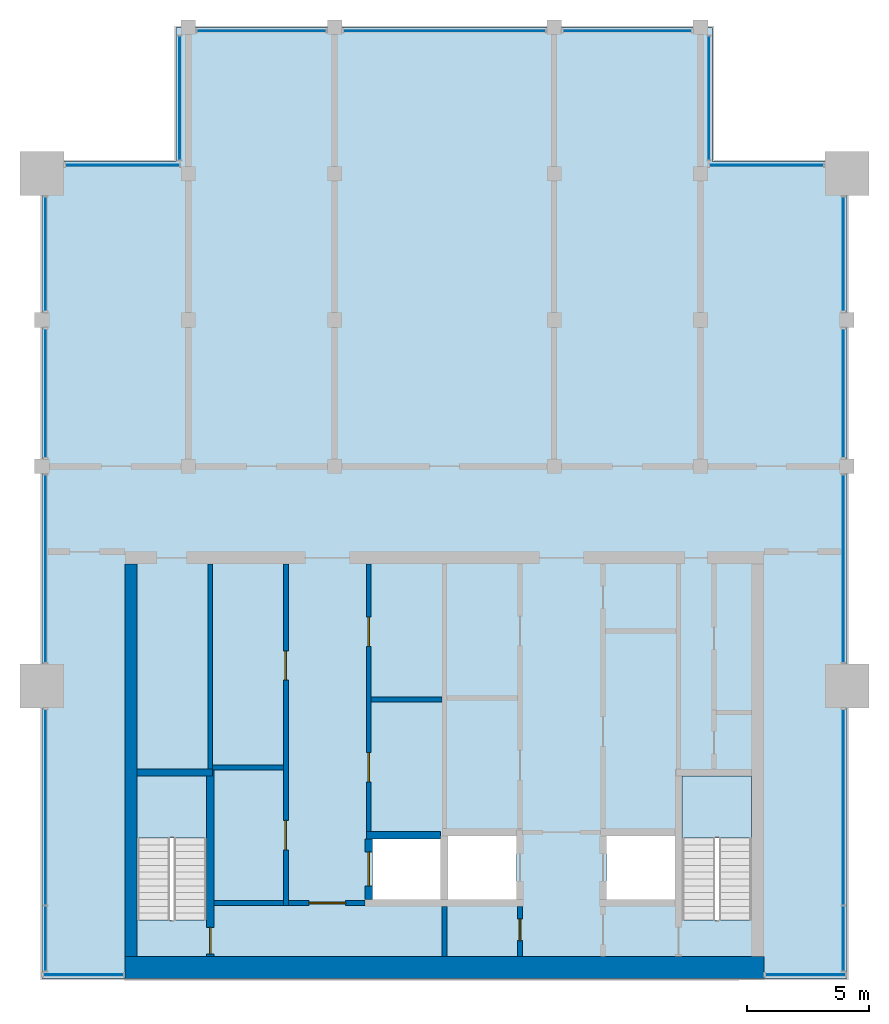
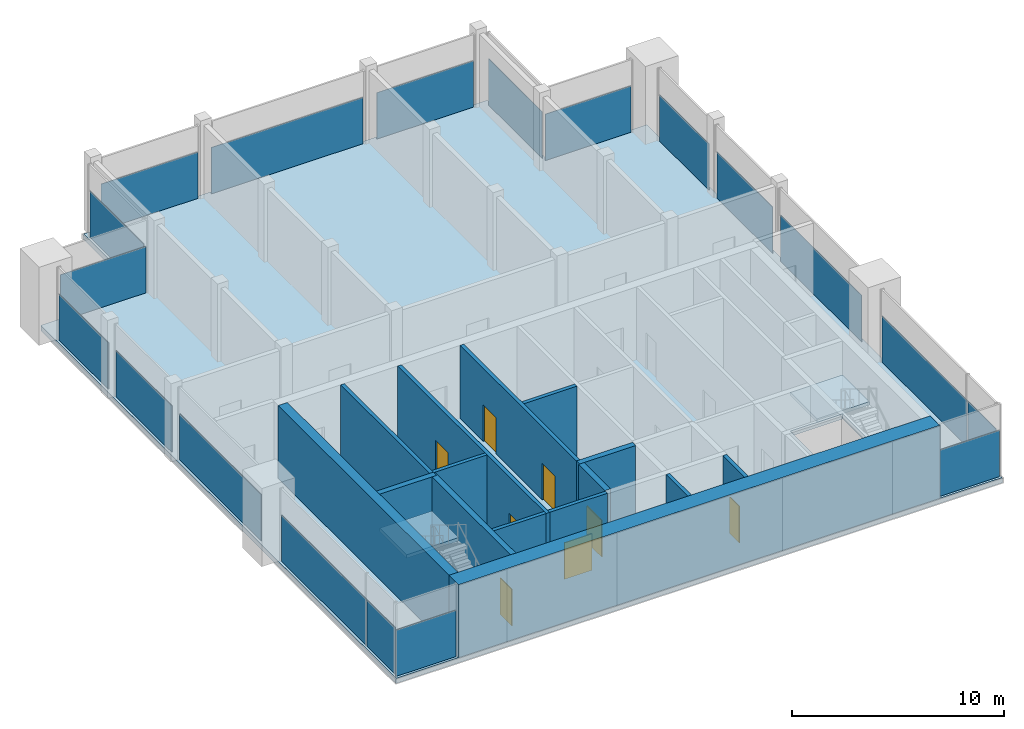
# One storey, part 6 of 9: 19 plates, 15 walls, 8 doors, 3 slabs, 8 openings, 19 elements without a shape of their own.
"""IFC4 building model written with IfcOpenShell, lengths in metres."""

from ifc_helpers import new_model, si_unit, direction, frame, frame_2d, origin, origin_2d, place, context, subcontext, project, spatial, polyline, rectangle, outline, extrude, material, layer, layer_set, type_object, element, fill, aggregate, save


model = new_model("IFC4")

# Units and contexts
model_context = context("Model", 3, precision=1e-05, world=origin(), true_north=direction((0.0, 1.0)))
body_context = subcontext(model_context, "Body", "Model", "MODEL_VIEW")
ifc_project = project(units=[si_unit("LENGTHUNIT", "METRE"), si_unit("AREAUNIT", "SQUARE_METRE"), si_unit("VOLUMEUNIT", "CUBIC_METRE"), si_unit("PLANEANGLEUNIT", "RADIAN"), si_unit("MASSUNIT", "GRAM", prefix="KILO")], contexts=[model_context])

# Site, building, storey
site_placement = place(None, origin())
site = spatial("IfcSite", under=ifc_project, at=site_placement, CompositionType="ELEMENT")
building_placement = place(site_placement, origin())
building = spatial("IfcBuilding", under=site, at=building_placement, Name="Finial Court Residences", CompositionType="ELEMENT")
storey_placement = place(building_placement, frame((0.0, 0.0, 303.199951171875)))
storey = spatial("IfcBuildingStorey", under=building, at=storey_placement, Name="L77", CompositionType="ELEMENT", Elevation=303.199951171875)

# Curtain wall, plate
ifc_material_1 = material(Name="Bronze anodised aluminium", Category="aluminium")
curtain_wall_type = type_object("IfcCurtainWallType", Name="Crown lantern glazing", PredefinedType="NOTDEFINED", material=ifc_material_1)
curtain_wall_1_placement = place(storey_placement, origin())
curtain_wall_1 = element("IfcCurtainWall", 1, at=curtain_wall_1_placement, inside=storey, type_object=curtain_wall_type, Name="E-L77-CW-N1c1", PredefinedType="NOTDEFINED")
ifc_material_2 = material(Name="Clear low-e glass", Category="glass")
ifc_layer_1 = layer(ifc_material_2, 0.031982421875)
ifc_layer_set_1 = layer_set([ifc_layer_1], Name="CW6 vision glass 32")
plate_type = type_object("IfcPlateType", Name="CW6 vision glass 32", PredefinedType="CURTAIN_PANEL", material=ifc_layer_set_1)
plate_1_placement = place(storey_placement, frame((-7.5, 13.35009765625, 0.0), z_axis=(0.0, 0.0, 1.0), x_axis=(1.0, 0.0, 0.0)))
plate_1 = element("IfcPlate", 2, at=plate_1_placement, type_object=plate_type, Name="CW6 glass 1.1", PredefinedType="CURTAIN_PANEL", context=body_context, shape_type="SweptSolid", body=[
    extrude(rectangle(XDim=5.260009765625, YDim=0.031982421875, at=origin_2d()), origin(), (0.0, 0.0, 1.0), 2.6650390625),
])
aggregate(curtain_wall_1, [plate_1])

curtain_wall_2_placement = place(storey_placement, origin())
curtain_wall_2 = element("IfcCurtainWall", 3, at=curtain_wall_2_placement, inside=storey, type_object=curtain_wall_type, Name="E-L77-CW-N1c2", PredefinedType="NOTDEFINED")
plate_2_placement = place(storey_placement, frame((0.0, 13.35009765625, 0.0), z_axis=(0.0, 0.0, 1.0), x_axis=(1.0, 0.0, 0.0)))
plate_2 = element("IfcPlate", 4, at=plate_2_placement, type_object=plate_type, Name="CW6 glass 1.1", PredefinedType="CURTAIN_PANEL", context=body_context, shape_type="SweptSolid", body=[
    extrude(rectangle(XDim=8.260009765625, YDim=0.031982421875, at=origin_2d()), origin(), (0.0, 0.0, 1.0), 2.6650390625),
])
aggregate(curtain_wall_2, [plate_2])

curtain_wall_3_placement = place(storey_placement, origin())
curtain_wall_3 = element("IfcCurtainWall", 5, at=curtain_wall_3_placement, inside=storey, type_object=curtain_wall_type, Name="E-L77-CW-N1c3", PredefinedType="NOTDEFINED")
plate_3_placement = place(storey_placement, frame((7.5, 13.35009765625, 0.0), z_axis=(0.0, 0.0, 1.0), x_axis=(1.0, 0.0, 0.0)))
plate_3 = element("IfcPlate", 6, at=plate_3_placement, type_object=plate_type, Name="CW6 glass 1.1", PredefinedType="CURTAIN_PANEL", context=body_context, shape_type="SweptSolid", body=[
    extrude(rectangle(XDim=5.260009765625, YDim=0.031982421875, at=origin_2d()), origin(), (0.0, 0.0, 1.0), 2.6650390625),
])
aggregate(curtain_wall_3, [plate_3])

# Curtain wall, plates
curtain_wall_4_placement = place(storey_placement, origin())
curtain_wall_4 = element("IfcCurtainWall", 7, at=curtain_wall_4_placement, inside=storey, type_object=curtain_wall_type, Name="E-L77-CW-E2c1", PredefinedType="NOTDEFINED")
plate_4_placement = place(storey_placement, frame((16.35009765625, -23.857421875, 0.0), z_axis=(0.0, 0.0, 1.0), x_axis=(0.0, 1.0, 0.0)))
plate_4 = element("IfcPlate", 8, at=plate_4_placement, type_object=plate_type, Name="CW6 glass 1.1", PredefinedType="CURTAIN_PANEL", context=body_context, shape_type="SweptSolid", body=[
    extrude(rectangle(XDim=2.64501953125, YDim=0.031982421875, at=origin_2d()), origin(), (0.0, 0.0, 1.0), 2.6650390625),
])
plate_5_placement = place(storey_placement, frame((16.35009765625, -18.467529296875, 0.0), z_axis=(0.0, 0.0, 1.0), x_axis=(0.0, 1.0, 0.0)))
plate_5 = element("IfcPlate", 9, at=plate_5_placement, type_object=plate_type, Name="CW6 glass 2.1", PredefinedType="CURTAIN_PANEL", context=body_context, shape_type="SweptSolid", body=[
    extrude(rectangle(XDim=7.9951171875, YDim=0.031982421875, at=origin_2d()), origin(), (0.0, 0.0, 1.0), 2.6650390625),
])
aggregate(curtain_wall_4, [plate_4, plate_5])

# Curtain wall, plate
curtain_wall_5_placement = place(storey_placement, origin())
curtain_wall_5 = element("IfcCurtainWall", 10, at=curtain_wall_5_placement, inside=storey, type_object=curtain_wall_type, Name="E-L77-CW-E2c2", PredefinedType="NOTDEFINED")
plate_6_placement = place(storey_placement, frame((16.35009765625, -8.699951171875, 0.0), z_axis=(0.0, 0.0, 1.0), x_axis=(0.0, 1.0, 0.0)))
plate_6 = element("IfcPlate", 11, at=plate_6_placement, type_object=plate_type, Name="CW6 glass 1.1", PredefinedType="CURTAIN_PANEL", context=body_context, shape_type="SweptSolid", body=[
    extrude(rectangle(XDim=7.659912109375, YDim=0.031982421875, at=origin_2d()), origin(), (0.0, 0.0, 1.0), 2.6650390625),
])
aggregate(curtain_wall_5, [plate_6])

curtain_wall_6_placement = place(storey_placement, origin())
curtain_wall_6 = element("IfcCurtainWall", 12, at=curtain_wall_6_placement, inside=storey, type_object=curtain_wall_type, Name="E-L77-CW-E2c3", PredefinedType="NOTDEFINED")
plate_7_placement = place(storey_placement, frame((16.35009765625, -1.5, 0.0), z_axis=(0.0, 0.0, 1.0), x_axis=(0.0, 1.0, 0.0)))
plate_7 = element("IfcPlate", 13, at=plate_7_placement, type_object=plate_type, Name="CW6 glass 1.1", PredefinedType="CURTAIN_PANEL", context=body_context, shape_type="SweptSolid", body=[
    extrude(rectangle(XDim=5.260009765625, YDim=0.031982421875, at=origin_2d()), origin(), (0.0, 0.0, 1.0), 2.6650390625),
])
aggregate(curtain_wall_6, [plate_7])

curtain_wall_7_placement = place(storey_placement, origin())
curtain_wall_7 = element("IfcCurtainWall", 14, at=curtain_wall_7_placement, inside=storey, type_object=curtain_wall_type, Name="E-L77-CW-E2c4", PredefinedType="NOTDEFINED")
plate_8_placement = place(storey_placement, frame((16.35009765625, 4.199951171875, 0.0), z_axis=(0.0, 0.0, 1.0), x_axis=(0.0, 1.0, 0.0)))
plate_8 = element("IfcPlate", 15, at=plate_8_placement, type_object=plate_type, Name="CW6 glass 1.1", PredefinedType="CURTAIN_PANEL", context=body_context, shape_type="SweptSolid", body=[
    extrude(rectangle(XDim=4.659912109375, YDim=0.031982421875, at=origin_2d()), origin(), (0.0, 0.0, 1.0), 2.6650390625),
])
aggregate(curtain_wall_7, [plate_8])

curtain_wall_8_placement = place(storey_placement, origin())
curtain_wall_8 = element("IfcCurtainWall", 16, at=curtain_wall_8_placement, inside=storey, type_object=curtain_wall_type, Name="E-L77-CW-S3", PredefinedType="NOTDEFINED")
plate_9_placement = place(storey_placement, frame((-14.800048828125, -25.35009765625, 0.0), z_axis=(0.0, 0.0, 1.0), x_axis=(1.0, 0.0, 0.0)))
plate_9 = element("IfcPlate", 17, at=plate_9_placement, type_object=plate_type, Name="CW6 glass 1.1", PredefinedType="CURTAIN_PANEL", context=body_context, shape_type="SweptSolid", body=[
    extrude(rectangle(XDim=3.260009765625, YDim=0.031982421875, at=origin_2d()), origin(), (0.0, 0.0, 1.0), 2.6650390625),
])
aggregate(curtain_wall_8, [plate_9])

curtain_wall_9_placement = place(storey_placement, origin())
curtain_wall_9 = element("IfcCurtainWall", 18, at=curtain_wall_9_placement, inside=storey, type_object=curtain_wall_type, Name="E-L77-CW-S4", PredefinedType="NOTDEFINED")
plate_10_placement = place(storey_placement, frame((14.800048828125, -25.35009765625, 0.0), z_axis=(0.0, 0.0, 1.0), x_axis=(1.0, 0.0, 0.0)))
plate_10 = element("IfcPlate", 19, at=plate_10_placement, type_object=plate_type, Name="CW6 glass 1.1", PredefinedType="CURTAIN_PANEL", context=body_context, shape_type="SweptSolid", body=[
    extrude(rectangle(XDim=3.260009765625, YDim=0.031982421875, at=origin_2d()), origin(), (0.0, 0.0, 1.0), 2.6650390625),
])
aggregate(curtain_wall_9, [plate_10])

# Curtain wall, plates
curtain_wall_10_placement = place(storey_placement, origin())
curtain_wall_10 = element("IfcCurtainWall", 20, at=curtain_wall_10_placement, inside=storey, type_object=curtain_wall_type, Name="E-L77-CW-W5c1", PredefinedType="NOTDEFINED")
plate_11_placement = place(storey_placement, frame((-16.35009765625, -23.857421875, 0.0), z_axis=(0.0, 0.0, 1.0), x_axis=(0.0, 1.0, 0.0)))
plate_11 = element("IfcPlate", 21, at=plate_11_placement, type_object=plate_type, Name="CW6 glass 1.1", PredefinedType="CURTAIN_PANEL", context=body_context, shape_type="SweptSolid", body=[
    extrude(rectangle(XDim=2.64501953125, YDim=0.031982421875, at=origin_2d()), origin(), (0.0, 0.0, 1.0), 2.6650390625),
])
plate_12_placement = place(storey_placement, frame((-16.35009765625, -18.467529296875, 0.0), z_axis=(0.0, 0.0, 1.0), x_axis=(0.0, 1.0, 0.0)))
plate_12 = element("IfcPlate", 22, at=plate_12_placement, type_object=plate_type, Name="CW6 glass 2.1", PredefinedType="CURTAIN_PANEL", context=body_context, shape_type="SweptSolid", body=[
    extrude(rectangle(XDim=7.9951171875, YDim=0.031982421875, at=origin_2d()), origin(), (0.0, 0.0, 1.0), 2.6650390625),
])
aggregate(curtain_wall_10, [plate_11, plate_12])

# Curtain wall, plate
curtain_wall_11_placement = place(storey_placement, origin())
curtain_wall_11 = element("IfcCurtainWall", 23, at=curtain_wall_11_placement, inside=storey, type_object=curtain_wall_type, Name="E-L77-CW-W5c2", PredefinedType="NOTDEFINED")
plate_13_placement = place(storey_placement, frame((-16.35009765625, -8.699951171875, 0.0), z_axis=(0.0, 0.0, 1.0), x_axis=(0.0, 1.0, 0.0)))
plate_13 = element("IfcPlate", 24, at=plate_13_placement, type_object=plate_type, Name="CW6 glass 1.1", PredefinedType="CURTAIN_PANEL", context=body_context, shape_type="SweptSolid", body=[
    extrude(rectangle(XDim=7.659912109375, YDim=0.031982421875, at=origin_2d()), origin(), (0.0, 0.0, 1.0), 2.6650390625),
])
aggregate(curtain_wall_11, [plate_13])

curtain_wall_12_placement = place(storey_placement, origin())
curtain_wall_12 = element("IfcCurtainWall", 25, at=curtain_wall_12_placement, inside=storey, type_object=curtain_wall_type, Name="E-L77-CW-W5c3", PredefinedType="NOTDEFINED")
plate_14_placement = place(storey_placement, frame((-16.35009765625, -1.5, 0.0), z_axis=(0.0, 0.0, 1.0), x_axis=(0.0, 1.0, 0.0)))
plate_14 = element("IfcPlate", 26, at=plate_14_placement, type_object=plate_type, Name="CW6 glass 1.1", PredefinedType="CURTAIN_PANEL", context=body_context, shape_type="SweptSolid", body=[
    extrude(rectangle(XDim=5.260009765625, YDim=0.031982421875, at=origin_2d()), origin(), (0.0, 0.0, 1.0), 2.6650390625),
])
aggregate(curtain_wall_12, [plate_14])

curtain_wall_13_placement = place(storey_placement, origin())
curtain_wall_13 = element("IfcCurtainWall", 27, at=curtain_wall_13_placement, inside=storey, type_object=curtain_wall_type, Name="E-L77-CW-W5c4", PredefinedType="NOTDEFINED")
plate_15_placement = place(storey_placement, frame((-16.35009765625, 4.199951171875, 0.0), z_axis=(0.0, 0.0, 1.0), x_axis=(0.0, 1.0, 0.0)))
plate_15 = element("IfcPlate", 28, at=plate_15_placement, type_object=plate_type, Name="CW6 glass 1.1", PredefinedType="CURTAIN_PANEL", context=body_context, shape_type="SweptSolid", body=[
    extrude(rectangle(XDim=4.659912109375, YDim=0.031982421875, at=origin_2d()), origin(), (0.0, 0.0, 1.0), 2.6650390625),
])
aggregate(curtain_wall_13, [plate_15])

curtain_wall_14_placement = place(storey_placement, origin())
curtain_wall_14 = element("IfcCurtainWall", 29, at=curtain_wall_14_placement, inside=storey, type_object=curtain_wall_type, Name="E-L77-CW-W6nc1", PredefinedType="NOTDEFINED")
plate_16_placement = place(storey_placement, frame((-10.85009765625, 10.60009765625, 0.0), z_axis=(0.0, 0.0, 1.0), x_axis=(0.0, 1.0, 0.0)))
plate_16 = element("IfcPlate", 30, at=plate_16_placement, type_object=plate_type, Name="CW6 glass 1.1", PredefinedType="CURTAIN_PANEL", context=body_context, shape_type="SweptSolid", body=[
    extrude(rectangle(XDim=5.06005859375, YDim=0.031982421875, at=origin_2d()), origin(), (0.0, 0.0, 1.0), 2.6650390625),
])
aggregate(curtain_wall_14, [plate_16])

curtain_wall_15_placement = place(storey_placement, origin())
curtain_wall_15 = element("IfcCurtainWall", 31, at=curtain_wall_15_placement, inside=storey, type_object=curtain_wall_type, Name="E-L77-CW-N7nc1", PredefinedType="NOTDEFINED")
plate_17_placement = place(storey_placement, frame((-13.199951171875, 7.85009765625, 0.0), z_axis=(0.0, 0.0, 1.0), x_axis=(1.0, 0.0, 0.0)))
plate_17 = element("IfcPlate", 32, at=plate_17_placement, type_object=plate_type, Name="CW6 glass 1.1", PredefinedType="CURTAIN_PANEL", context=body_context, shape_type="SweptSolid", body=[
    extrude(rectangle(XDim=4.659912109375, YDim=0.031982421875, at=origin_2d()), origin(), (0.0, 0.0, 1.0), 2.6650390625),
])
aggregate(curtain_wall_15, [plate_17])

curtain_wall_16_placement = place(storey_placement, origin())
curtain_wall_16 = element("IfcCurtainWall", 33, at=curtain_wall_16_placement, inside=storey, type_object=curtain_wall_type, Name="E-L77-CW-E8nc1", PredefinedType="NOTDEFINED")
plate_18_placement = place(storey_placement, frame((10.85009765625, 10.60009765625, 0.0), z_axis=(0.0, 0.0, 1.0), x_axis=(0.0, 1.0, 0.0)))
plate_18 = element("IfcPlate", 34, at=plate_18_placement, type_object=plate_type, Name="CW6 glass 1.1", PredefinedType="CURTAIN_PANEL", context=body_context, shape_type="SweptSolid", body=[
    extrude(rectangle(XDim=5.06005859375, YDim=0.031982421875, at=origin_2d()), origin(), (0.0, 0.0, 1.0), 2.6650390625),
])
aggregate(curtain_wall_16, [plate_18])

curtain_wall_17_placement = place(storey_placement, origin())
curtain_wall_17 = element("IfcCurtainWall", 35, at=curtain_wall_17_placement, inside=storey, type_object=curtain_wall_type, Name="E-L77-CW-N9nc1", PredefinedType="NOTDEFINED")
plate_19_placement = place(storey_placement, frame((13.199951171875, 7.85009765625, 0.0), z_axis=(0.0, 0.0, 1.0), x_axis=(1.0, 0.0, 0.0)))
plate_19 = element("IfcPlate", 36, at=plate_19_placement, type_object=plate_type, Name="CW6 glass 1.1", PredefinedType="CURTAIN_PANEL", context=body_context, shape_type="SweptSolid", body=[
    extrude(rectangle(XDim=4.659912109375, YDim=0.031982421875, at=origin_2d()), origin(), (0.0, 0.0, 1.0), 2.6650390625),
])
aggregate(curtain_wall_17, [plate_19])

# Stair, slab
ifc_material_3 = material(Name="Concrete C50/60", Category="concrete")
stair_type = type_object("IfcStairType", Name="Exit stair 26 risers of 173.1 mm", PredefinedType="HALF_TURN_STAIR", material=ifc_material_3)
stair_1_placement = place(storey_placement, origin())
stair_1 = element("IfcStair", 37, at=stair_1_placement, inside=storey, type_object=stair_type, Name="L77 Exit stair ST-1", PredefinedType="HALF_TURN_STAIR")
ifc_layer_2 = layer(ifc_material_3, 0.199951171875)
ifc_layer_set_2 = layer_set([ifc_layer_2], Name="Exit stair landing")
slab_type_1 = type_object("IfcSlabType", Name="Exit stair landing", PredefinedType="LANDING", material=ifc_layer_set_2)
slab_1_placement = place(storey_placement, frame((0.0, 0.0, 2.050048828125)))
slab_1 = element("IfcSlab", 38, at=slab_1_placement, type_object=slab_type_1, Name="ST-1 landing 1", PredefinedType="LANDING", context=body_context, shape_type="SweptSolid", body=[
    extrude(outline(polyline([(-9.75, -19.739990234375), (-9.75, -17.199951171875), (-12.60009765625, -17.199951171875), (-12.60009765625, -19.739990234375), (-9.75, -19.739990234375)])), origin(), (0.0, 0.0, 1.0), 0.199951171875),
])
aggregate(stair_1, [slab_1])

stair_2_placement = place(storey_placement, origin())
stair_2 = element("IfcStair", 39, at=stair_2_placement, inside=storey, type_object=stair_type, Name="L77 Exit stair ST-2", PredefinedType="HALF_TURN_STAIR")
slab_2_placement = place(storey_placement, frame((0.0, 0.0, 2.050048828125)))
slab_2 = element("IfcSlab", 40, at=slab_2_placement, type_object=slab_type_1, Name="ST-2 landing 1", PredefinedType="LANDING", context=body_context, shape_type="SweptSolid", body=[
    extrude(outline(polyline([(12.60009765625, -19.739990234375), (12.60009765625, -17.199951171875), (9.75, -17.199951171875), (9.75, -19.739990234375), (12.60009765625, -19.739990234375)])), origin(), (0.0, 0.0, 1.0), 0.199951171875),
])
aggregate(stair_2, [slab_2])

# Slab
ifc_material_4 = material(Name="Concrete C40/50", Category="concrete")
ifc_layer_3 = layer(ifc_material_4, 0.300048828125)
ifc_layer_set_3 = layer_set([ifc_layer_3], Name="Flat plate slab 300 Concrete C40/50")
slab_type_2 = type_object("IfcSlabType", Name="Flat plate slab 300 Concrete C40/50", PredefinedType="FLOOR", material=ifc_layer_set_3)
slab_3_placement = place(storey_placement, frame((0.0, 0.0, -0.300048828125)))
element("IfcSlab", 41, at=slab_3_placement, inside=storey, type_object=slab_type_2, Name="S:SLAB:L77", PredefinedType="FLOOR", context=body_context, shape_type="SweptSolid", body=[
    extrude(outline(polyline([(-16.5, -25.5), (-16.5, 8.0), (-11.0, 8.0), (-11.0, 13.5), (11.0, 13.5), (11.0, 8.0), (16.5, 8.0), (16.5, -25.5), (-16.5, -25.5)]), holes=[polyline([(-2.949951171875, -19.77001953125), (-2.949951171875, -22.25), (-0.14990234375, -22.25), (-0.14990234375, -19.77001953125), (-2.949951171875, -19.77001953125)]), polyline([(0.14990234375, -19.64990234375), (0.14990234375, -22.25), (2.949951171875, -22.25), (2.949951171875, -19.64990234375), (0.14990234375, -19.64990234375)]), polyline([(6.64990234375, -19.64990234375), (6.64990234375, -22.25), (9.449951171875, -22.25), (9.449951171875, -19.64990234375), (6.64990234375, -19.64990234375)]), polyline([(-12.60009765625, -17.199951171875), (-12.60009765625, -23.09912109375), (-9.75, -23.09912109375), (-9.75, -17.199951171875), (-12.60009765625, -17.199951171875)]), polyline([(9.75, -17.199951171875), (9.75, -23.09912109375), (12.60009765625, -23.09912109375), (12.60009765625, -17.199951171875), (9.75, -17.199951171875)])]), origin(), (0.0, 0.0, 1.0), 0.300048828125),
])

# Walls
ifc_layer_4 = layer(ifc_material_3, 0.5)
ifc_layer_set_4 = layer_set([ifc_layer_4], Name="Core outer wall 500 Concrete C50/60")
wall_type_1 = type_object("IfcWallType", Name="Core outer wall 500 Concrete C50/60", PredefinedType="SHEAR", material=ifc_layer_set_4)
wall_1_placement = place(storey_placement, frame((-12.85009765625, -24.60009765625, 0.0), z_axis=(0.0, 0.0, 1.0), x_axis=(0.0, 1.0, 0.0)))
element("IfcWall", 42, at=wall_1_placement, inside=storey, type_object=wall_type_1, Name="Core outer wall L77-03", PredefinedType="SHEAR", context=body_context, shape_type="SweptSolid", body=[
    extrude(rectangle(XDim=16.10009765625, YDim=0.5, at=frame_2d((8.050048828125, 0.0))), origin(), (0.0, 0.0, 1.0), 4.199951171875),
])
ifc_layer_5 = layer(ifc_material_3, 0.89990234375)
ifc_layer_set_5 = layer_set([ifc_layer_5], Name="Core south facade wall 900 Concrete C50/60")
wall_type_2 = type_object("IfcWallType", Name="Core south facade wall 900 Concrete C50/60", PredefinedType="SHEAR", material=ifc_layer_set_5)
wall_2_placement = place(storey_placement, frame((-13.10009765625, -25.050048828125, 0.0), z_axis=(0.0, 0.0, 1.0), x_axis=(1.0, 0.0, 0.0)))
element("IfcWall", 43, at=wall_2_placement, inside=storey, type_object=wall_type_2, Name="Core outer wall L77-01", PredefinedType="SHEAR", context=body_context, shape_type="SweptSolid", body=[
    extrude(rectangle(XDim=26.2001953125, YDim=0.89990234375, at=frame_2d((13.10009765625, 0.0))), origin(), (0.0, 0.0, 1.0), 4.199951171875),
])

# Wall, opening, door
ifc_material_5 = material(Name="Fire-rated gypsum board partition")
ifc_layer_6 = layer(ifc_material_5, 0.199951171875)
ifc_layer_set_6 = layer_set([ifc_layer_6], Name="Firefighting lobby wall 200 EI 120")
wall_type_3 = type_object("IfcWallType", Name="Firefighting lobby wall 200 EI 120", PredefinedType="PARTITIONING", material=ifc_layer_set_6)
wall_3_placement = place(storey_placement, frame((3.10009765625, -24.60009765625, 0.0), z_axis=(0.0, 0.0, 1.0), x_axis=(0.0, 1.0, 0.0)))
wall_3 = element("IfcWall", 44, at=wall_3_placement, inside=storey, type_object=wall_type_3, Name="Core partition L77-24", PredefinedType="PARTITIONING", context=body_context, shape_type="SweptSolid", body=[
    extrude(rectangle(XDim=2.050048828125, YDim=0.199951171875, at=frame_2d((1.02490234375, 0.0))), origin(), (0.0, 0.0, 1.0), 4.199951171875),
])
opening_1_placement = place(wall_3_placement, frame((0.64990234375, 0.0, 0.0)))
opening_1 = element("IfcOpeningElement", 45, at=opening_1_placement, cuts=wall_3, Name="Opening L77-C17", PredefinedType="OPENING", context=body_context, shape_type="SweptSolid", body=[
    extrude(rectangle(XDim=0.89990234375, YDim=2.10009765625, at=frame_2d((0.449951171875, 1.050048828125))), frame((0.0, 0.10986328125, 0.0), z_axis=(0.0, -1.0, 0.0), x_axis=(1.0, 0.0, 0.0)), (0.0, 0.0, 1.0), 0.219970703125),
])
ifc_material_6 = material(Name="Steel fire door", Category="steel")
door_type_1 = type_object("IfcDoorType", Name="Riser room door 900 x 2100 EI 90", OperationType="NOTDEFINED", PredefinedType="DOOR", material=ifc_material_6)
door_1_placement = place(opening_1_placement, origin())
door_1 = element("IfcDoor", 46, at=door_1_placement, inside=storey, type_object=door_type_1, Name="Riser room door L77-C17", OperationType="SINGLE_SWING_LEFT", OverallHeight=2.10009765625, OverallWidth=0.89990234375, PredefinedType="DOOR", context=body_context, shape_type="SweptSolid", body=[
    extrude(rectangle(XDim=0.89990234375, YDim=2.10009765625, at=frame_2d((0.449951171875, 1.050048828125))), frame((0.0, 0.02490234375, 0.0), z_axis=(0.0, -1.0, 0.0), x_axis=(1.0, 0.0, 0.0)), (0.0, 0.0, 1.0), 0.050048828125),
])
fill(opening_1, door_1)

# Walls
ifc_layer_7 = layer(ifc_material_3, 0.300048828125)
ifc_layer_set_7 = layer_set([ifc_layer_7], Name="Lift shaft and stair wall 300 Concrete C50/60")
wall_type_4 = type_object("IfcWallType", Name="Lift shaft and stair wall 300 Concrete C50/60", PredefinedType="SHEAR", material=ifc_layer_set_7)
wall_4_placement = place(storey_placement, frame((-3.199951171875, -19.6201171875, 0.0), z_axis=(0.0, 0.0, 1.0), x_axis=(1.0, 0.0, 0.0)))
element("IfcWall", 47, at=wall_4_placement, inside=storey, type_object=wall_type_4, Name="Core wall L77-05", PredefinedType="SHEAR", context=body_context, shape_type="SweptSolid", body=[
    extrude(rectangle(XDim=3.050048828125, YDim=0.300048828125, at=frame_2d((1.52490234375, 0.0))), origin(), (0.0, 0.0, 1.0), 4.199951171875),
])
wall_5_placement = place(storey_placement, frame((-12.60009765625, -17.050048828125, 0.0), z_axis=(0.0, 0.0, 1.0), x_axis=(1.0, 0.0, 0.0)))
element("IfcWall", 48, at=wall_5_placement, inside=storey, type_object=wall_type_4, Name="Core wall L77-09", PredefinedType="SHEAR", context=body_context, shape_type="SweptSolid", body=[
    extrude(rectangle(XDim=3.10009765625, YDim=0.300048828125, at=frame_2d((1.550048828125, 0.0))), origin(), (0.0, 0.0, 1.0), 4.199951171875),
])

# Wall, opening, door
wall_6_placement = place(storey_placement, frame((-9.60009765625, -24.60009765625, 0.0), z_axis=(0.0, 0.0, 1.0), x_axis=(0.0, 1.0, 0.0)))
wall_6 = element("IfcWall", 49, at=wall_6_placement, inside=storey, type_object=wall_type_4, Name="Core wall L77-16", PredefinedType="SHEAR", context=body_context, shape_type="SweptSolid", body=[
    extrude(rectangle(XDim=7.7001953125, YDim=0.300048828125, at=frame_2d((3.85009765625, 0.0))), origin(), (0.0, 0.0, 1.0), 4.199951171875),
])
opening_2_placement = place(wall_6_placement, frame((0.10009765625, 0.0, 0.0)))
opening_2 = element("IfcOpeningElement", 50, at=opening_2_placement, cuts=wall_6, Name="Opening L77-C19", PredefinedType="OPENING", context=body_context, shape_type="SweptSolid", body=[
    extrude(rectangle(XDim=1.10009765625, YDim=2.10009765625, at=frame_2d((0.550048828125, 1.050048828125))), frame((0.0, 0.159912109375, 0.0), z_axis=(0.0, -1.0, 0.0), x_axis=(1.0, 0.0, 0.0)), (0.0, 0.0, 1.0), 0.320068359375),
])
door_type_2 = type_object("IfcDoorType", Name="Stair door 1100 x 2100 EI 90", OperationType="NOTDEFINED", PredefinedType="DOOR", material=ifc_material_6)
door_2_placement = place(opening_2_placement, origin())
door_2 = element("IfcDoor", 51, at=door_2_placement, inside=storey, type_object=door_type_2, Name="Stair door L77-C19", OperationType="SINGLE_SWING_LEFT", OverallHeight=2.10009765625, OverallWidth=1.10009765625, PredefinedType="DOOR", context=body_context, shape_type="SweptSolid", body=[
    extrude(rectangle(XDim=1.10009765625, YDim=2.10009765625, at=frame_2d((0.550048828125, 1.050048828125))), frame((0.0, 0.02490234375, 0.0), z_axis=(0.0, -1.0, 0.0), x_axis=(1.0, 0.0, 0.0)), (0.0, 0.0, 1.0), 0.050048828125),
])
fill(opening_2, door_2)

wall_7_placement = place(storey_placement, frame((-3.10009765625, -22.25, 0.0), z_axis=(0.0, 0.0, 1.0), x_axis=(0.0, 1.0, 0.0)))
wall_7 = element("IfcWall", 52, at=wall_7_placement, inside=storey, type_object=wall_type_4, Name="Core wall L77-19", PredefinedType="SHEAR", context=body_context, shape_type="SweptSolid", body=[
    extrude(rectangle(XDim=2.47998046875, YDim=0.300048828125, at=frame_2d((1.239990234375, 0.0))), origin(), (0.0, 0.0, 1.0), 4.199951171875),
])
opening_3_placement = place(wall_7_placement, frame((0.5400390625, 0.0, 0.0)))
opening_3 = element("IfcOpeningElement", 53, at=opening_3_placement, cuts=wall_7, Name="Opening L77-LD03", PredefinedType="OPENING", context=body_context, shape_type="SweptSolid", body=[
    extrude(rectangle(XDim=1.39990234375, YDim=2.10009765625, at=frame_2d((0.699951171875, 1.050048828125))), frame((0.0, 0.159912109375, 0.0), z_axis=(0.0, -1.0, 0.0), x_axis=(1.0, 0.0, 0.0)), (0.0, 0.0, 1.0), 0.320068359375),
])
ifc_material_7 = material(Name="Stainless steel lift door", Category="steel")
door_type_3 = type_object("IfcDoorType", Name="Lift landing door 1400 x 2100 EI 90", OperationType="DOUBLE_DOOR_SLIDING", PredefinedType="DOOR", material=ifc_material_7)
door_3_placement = place(opening_3_placement, origin())
door_3 = element("IfcDoor", 54, at=door_3_placement, inside=storey, type_object=door_type_3, Name="Lift landing door SV1 L77", OperationType="DOUBLE_DOOR_SLIDING", OverallHeight=2.10009765625, OverallWidth=1.39990234375, PredefinedType="DOOR", context=body_context, shape_type="SweptSolid", body=[
    extrude(rectangle(XDim=1.39990234375, YDim=2.10009765625, at=frame_2d((0.699951171875, 1.050048828125))), frame((0.0, 0.02490234375, 0.0), z_axis=(0.0, -1.0, 0.0), x_axis=(1.0, 0.0, 0.0)), (0.0, 0.0, 1.0), 0.050048828125),
])
fill(opening_3, door_3)

# Walls
ifc_layer_8 = layer(ifc_material_5, 0.199951171875)
ifc_layer_set_8 = layer_set([ifc_layer_8], Name="Riser room wall 200 EI 120")
wall_type_5 = type_object("IfcWallType", Name="Riser room wall 200 EI 120", PredefinedType="PARTITIONING", material=ifc_layer_set_8)
wall_8_placement = place(storey_placement, frame((-9.449951171875, -22.39990234375, 0.0), z_axis=(0.0, 0.0, 1.0), x_axis=(1.0, 0.0, 0.0)))
element("IfcWall", 55, at=wall_8_placement, inside=storey, type_object=wall_type_5, Name="Core partition L77-01", PredefinedType="PARTITIONING", context=body_context, shape_type="SweptSolid", body=[
    extrude(rectangle(XDim=2.849853515625, YDim=0.199951171875, at=frame_2d((1.4248046875, 0.0))), origin(), (0.0, 0.0, 1.0), 4.199951171875),
])
for number, where, z_axis, x_axis, name in (
    (56, (-9.5, -16.840087890625, 0.0), (0.0, 0.0, 1.0), (1.0, 0.0, 0.0), "Core partition L77-11"),
    (57, (-3.0, -14.06005859375, 0.0), (0.0, 0.0, 1.0), (1.0, 0.0, 0.0), "Core partition L77-13"),
):
    element("IfcWall", number, at=place(storey_placement, frame(where, z_axis=z_axis, x_axis=x_axis)), inside=storey, type_object=wall_type_5, Name=name, PredefinedType="PARTITIONING", context=body_context, shape_type="SweptSolid", body=[
        extrude(rectangle(XDim=2.89990234375, YDim=0.199951171875, at=frame_2d((1.449951171875, 0.0))), origin(), (0.0, 0.0, 1.0), 4.199951171875),
    ])
wall_9_placement = place(storey_placement, frame((-9.60009765625, -16.89990234375, 0.0), z_axis=(0.0, 0.0, 1.0), x_axis=(0.0, 1.0, 0.0)))
element("IfcWall", 58, at=wall_9_placement, inside=storey, type_object=wall_type_5, Name="Core partition L77-17", PredefinedType="PARTITIONING", context=body_context, shape_type="SweptSolid", body=[
    extrude(rectangle(XDim=8.39990234375, YDim=0.199951171875, at=frame_2d((4.199951171875, 0.0))), origin(), (0.0, 0.0, 1.0), 4.199951171875),
])

# Wall, openings, doors
wall_10_placement = place(storey_placement, frame((-6.5, -22.5, 0.0), z_axis=(0.0, 0.0, 1.0), x_axis=(0.0, 1.0, 0.0)))
wall_10 = element("IfcWall", 59, at=wall_10_placement, inside=storey, type_object=wall_type_5, Name="Core partition L77-18", PredefinedType="PARTITIONING", context=body_context, shape_type="SweptSolid", body=[
    extrude(rectangle(XDim=14.0, YDim=0.199951171875, at=frame_2d((7.0, 0.0))), origin(), (0.0, 0.0, 1.0), 4.199951171875),
])
opening_4_placement = place(wall_10_placement, frame((2.280029296875, 0.0, 0.0)))
opening_4 = element("IfcOpeningElement", 60, at=opening_4_placement, cuts=wall_10, Name="Opening L77-C07", PredefinedType="OPENING", context=body_context, shape_type="SweptSolid", body=[
    extrude(rectangle(XDim=1.199951171875, YDim=2.10009765625, at=frame_2d((0.60009765625, 1.050048828125))), frame((0.0, 0.10986328125, 0.0), z_axis=(0.0, -1.0, 0.0), x_axis=(1.0, 0.0, 0.0)), (0.0, 0.0, 1.0), 0.219970703125),
])
opening_5_placement = place(wall_10_placement, frame((9.22998046875, 0.0, 0.0)))
opening_5 = element("IfcOpeningElement", 61, at=opening_5_placement, cuts=wall_10, Name="Opening L77-C08", PredefinedType="OPENING", context=body_context, shape_type="SweptSolid", body=[
    extrude(rectangle(XDim=1.199951171875, YDim=2.10009765625, at=frame_2d((0.60009765625, 1.050048828125))), frame((0.0, 0.10986328125, 0.0), z_axis=(0.0, -1.0, 0.0), x_axis=(1.0, 0.0, 0.0)), (0.0, 0.0, 1.0), 0.219970703125),
])
door_type_4 = type_object("IfcDoorType", Name="Riser room door 1200 x 2100 EI 90", OperationType="NOTDEFINED", PredefinedType="DOOR", material=ifc_material_6)
door_4_placement = place(opening_4_placement, origin())
door_4 = element("IfcDoor", 62, at=door_4_placement, inside=storey, type_object=door_type_4, Name="Riser room door L77-C07", OperationType="SINGLE_SWING_LEFT", OverallHeight=2.10009765625, OverallWidth=1.199951171875, PredefinedType="DOOR", context=body_context, shape_type="SweptSolid", body=[
    extrude(rectangle(XDim=1.199951171875, YDim=2.10009765625, at=frame_2d((0.60009765625, 1.050048828125))), frame((0.0, 0.02490234375, 0.0), z_axis=(0.0, -1.0, 0.0), x_axis=(1.0, 0.0, 0.0)), (0.0, 0.0, 1.0), 0.050048828125),
])
fill(opening_4, door_4)
door_5_placement = place(opening_5_placement, origin())
door_5 = element("IfcDoor", 63, at=door_5_placement, inside=storey, type_object=door_type_4, Name="Riser room door L77-C08", OperationType="SINGLE_SWING_LEFT", OverallHeight=2.10009765625, OverallWidth=1.199951171875, PredefinedType="DOOR", context=body_context, shape_type="SweptSolid", body=[
    extrude(rectangle(XDim=1.199951171875, YDim=2.10009765625, at=frame_2d((0.60009765625, 1.050048828125))), frame((0.0, 0.02490234375, 0.0), z_axis=(0.0, -1.0, 0.0), x_axis=(1.0, 0.0, 0.0)), (0.0, 0.0, 1.0), 0.050048828125),
])
fill(opening_5, door_5)

wall_11_placement = place(storey_placement, frame((-3.10009765625, -8.5, 0.0), z_axis=(0.0, 0.0, 1.0), x_axis=(0.0, -1.0, 0.0)))
wall_11 = element("IfcWall", 64, at=wall_11_placement, inside=storey, type_object=wall_type_5, Name="Core partition L77-20", PredefinedType="PARTITIONING", context=body_context, shape_type="SweptSolid", body=[
    extrude(rectangle(XDim=10.969970703125, YDim=0.199951171875, at=frame_2d((5.48486328125, 0.0))), origin(), (0.0, 0.0, 1.0), 4.199951171875),
])
opening_6_placement = place(wall_11_placement, frame((7.739990234375, 0.0, 0.0)))
opening_6 = element("IfcOpeningElement", 65, at=opening_6_placement, cuts=wall_11, Name="Opening L77-C09", PredefinedType="OPENING", context=body_context, shape_type="SweptSolid", body=[
    extrude(rectangle(XDim=1.199951171875, YDim=2.10009765625, at=frame_2d((0.60009765625, 1.050048828125))), frame((0.0, 0.10986328125, 0.0), z_axis=(0.0, -1.0, 0.0), x_axis=(1.0, 0.0, 0.0)), (0.0, 0.0, 1.0), 0.219970703125),
])
opening_7_placement = place(wall_11_placement, frame((2.179931640625, 0.0, 0.0)))
opening_7 = element("IfcOpeningElement", 66, at=opening_7_placement, cuts=wall_11, Name="Opening L77-C10", PredefinedType="OPENING", context=body_context, shape_type="SweptSolid", body=[
    extrude(rectangle(XDim=1.199951171875, YDim=2.10009765625, at=frame_2d((0.60009765625, 1.050048828125))), frame((0.0, 0.10986328125, 0.0), z_axis=(0.0, -1.0, 0.0), x_axis=(1.0, 0.0, 0.0)), (0.0, 0.0, 1.0), 0.219970703125),
])
door_6_placement = place(opening_6_placement, origin())
door_6 = element("IfcDoor", 67, at=door_6_placement, inside=storey, type_object=door_type_4, Name="Riser room door L77-C09", OperationType="SINGLE_SWING_LEFT", OverallHeight=2.10009765625, OverallWidth=1.199951171875, PredefinedType="DOOR", context=body_context, shape_type="SweptSolid", body=[
    extrude(rectangle(XDim=1.199951171875, YDim=2.10009765625, at=frame_2d((0.60009765625, 1.050048828125))), frame((0.0, 0.02490234375, 0.0), z_axis=(0.0, -1.0, 0.0), x_axis=(1.0, 0.0, 0.0)), (0.0, 0.0, 1.0), 0.050048828125),
])
fill(opening_6, door_6)
door_7_placement = place(opening_7_placement, origin())
door_7 = element("IfcDoor", 68, at=door_7_placement, inside=storey, type_object=door_type_4, Name="Riser room door L77-C10", OperationType="SINGLE_SWING_LEFT", OverallHeight=2.10009765625, OverallWidth=1.199951171875, PredefinedType="DOOR", context=body_context, shape_type="SweptSolid", body=[
    extrude(rectangle(XDim=1.199951171875, YDim=2.10009765625, at=frame_2d((0.60009765625, 1.050048828125))), frame((0.0, 0.02490234375, 0.0), z_axis=(0.0, -1.0, 0.0), x_axis=(1.0, 0.0, 0.0)), (0.0, 0.0, 1.0), 0.050048828125),
])
fill(opening_7, door_7)

# Wall
wall_12_placement = place(storey_placement, frame((0.0, -24.60009765625, 0.0), z_axis=(0.0, 0.0, 1.0), x_axis=(0.0, 1.0, 0.0)))
element("IfcWall", 69, at=wall_12_placement, inside=storey, type_object=wall_type_5, Name="Core partition L77-21", PredefinedType="PARTITIONING", context=body_context, shape_type="SweptSolid", body=[
    extrude(rectangle(XDim=2.050048828125, YDim=0.199951171875, at=frame_2d((1.02490234375, 0.0))), origin(), (0.0, 0.0, 1.0), 4.199951171875),
])

# Wall, opening, door
ifc_layer_9 = layer(ifc_material_5, 0.199951171875)
ifc_layer_set_9 = layer_set([ifc_layer_9], Name="Stair passage wall 200 EI 180")
wall_type_6 = type_object("IfcWallType", Name="Stair passage wall 200 EI 180", PredefinedType="PARTITIONING", material=ifc_layer_set_9)
wall_13_placement = place(storey_placement, frame((-3.25, -22.39990234375, 0.0), z_axis=(0.0, 0.0, 1.0), x_axis=(-1.0, 0.0, 0.0)))
wall_13 = element("IfcWall", 70, at=wall_13_placement, inside=storey, type_object=wall_type_6, Name="Core partition L77-02", PredefinedType="PARTITIONING", context=body_context, shape_type="SweptSolid", body=[
    extrude(rectangle(XDim=3.14990234375, YDim=0.199951171875, at=frame_2d((1.574951171875, 0.0))), origin(), (0.0, 0.0, 1.0), 4.199951171875),
])
opening_8_placement = place(wall_13_placement, frame((0.800048828125, 0.0, 0.0)))
opening_8 = element("IfcOpeningElement", 71, at=opening_8_placement, cuts=wall_13, Name="Opening L77-C05", PredefinedType="OPENING", context=body_context, shape_type="SweptSolid", body=[
    extrude(rectangle(XDim=1.5, YDim=2.10009765625, at=frame_2d((0.75, 1.050048828125))), frame((0.0, 0.10986328125, 0.0), z_axis=(0.0, -1.0, 0.0), x_axis=(1.0, 0.0, 0.0)), (0.0, 0.0, 1.0), 0.219970703125),
])
door_type_5 = type_object("IfcDoorType", Name="Lift lobby door 1500 x 2100 EI 60", OperationType="DOUBLE_DOOR_SINGLE_SWING", PredefinedType="DOOR", material=ifc_material_6)
door_8_placement = place(opening_8_placement, origin())
door_8 = element("IfcDoor", 72, at=door_8_placement, inside=storey, type_object=door_type_5, Name="Lift lobby door L77-C05", OperationType="DOUBLE_DOOR_SINGLE_SWING", OverallHeight=2.10009765625, OverallWidth=1.5, PredefinedType="DOOR", context=body_context, shape_type="SweptSolid", body=[
    extrude(rectangle(XDim=1.5, YDim=2.10009765625, at=frame_2d((0.75, 1.050048828125))), frame((0.0, 0.02490234375, 0.0), z_axis=(0.0, -1.0, 0.0), x_axis=(1.0, 0.0, 0.0)), (0.0, 0.0, 1.0), 0.050048828125),
])
fill(opening_8, door_8)

save(model, "model.ifc")
